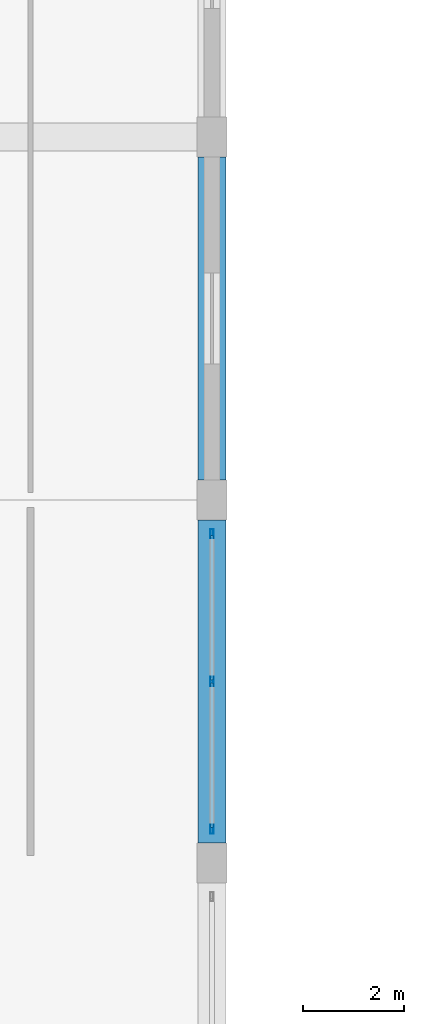
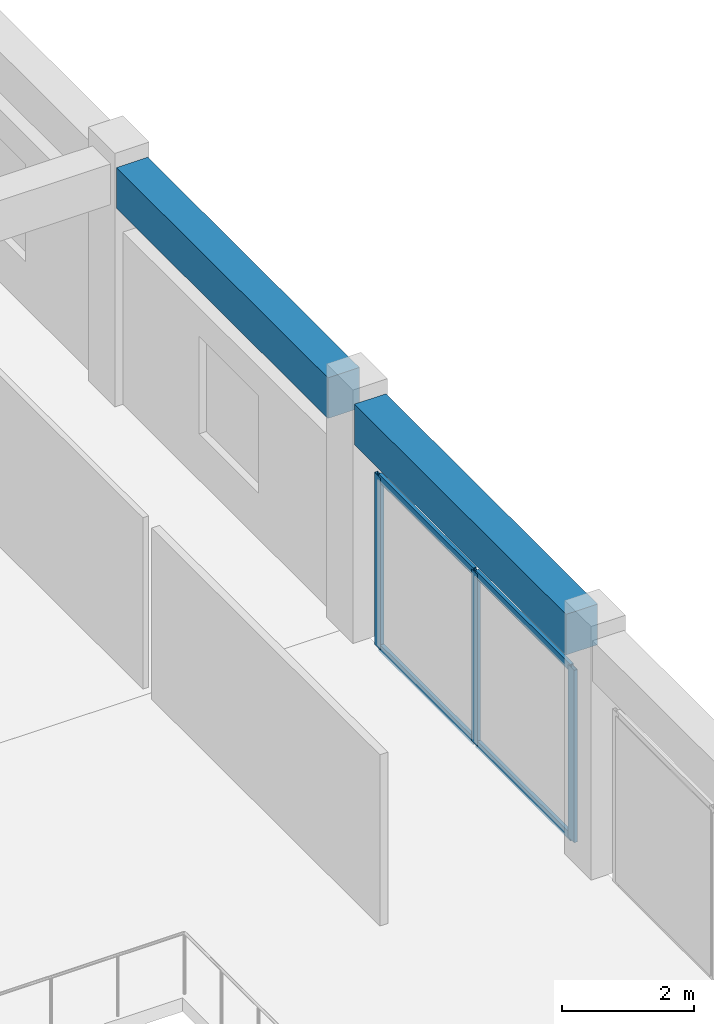
# One storey, part 24 of 55: 7 members, 2 beams, 1 element without a shape of its own.
"""IFC4 building model written with IfcOpenShell, lengths in metres."""

from ifc_helpers import new_model, si_unit, direction, frame, origin, origin_2d, place, context, subcontext, project, spatial, rectangle, hollow_rectangle, extrude, material, material_profile, profile_set, type_object, element, aggregate, save


model = new_model("IFC4")

# Units and contexts
model_context = context("Model", 3, precision=1e-05, world=origin(), true_north=direction((0.0, 1.0)))
body_context = subcontext(model_context, "Body", "Model", "MODEL_VIEW")
ifc_project = project(units=[si_unit("LENGTHUNIT", "METRE"), si_unit("AREAUNIT", "SQUARE_METRE"), si_unit("VOLUMEUNIT", "CUBIC_METRE"), si_unit("PLANEANGLEUNIT", "RADIAN"), si_unit("MASSUNIT", "GRAM", prefix="KILO")], contexts=[model_context])

# Site, building, storey
site_placement = place(None, origin())
site = spatial("IfcSite", under=ifc_project, at=site_placement, CompositionType="ELEMENT")
building_placement = place(site_placement, origin())
building = spatial("IfcBuilding", under=site, at=building_placement, Name="Kazehaya Institute of Natural Sciences", CompositionType="ELEMENT")
storey_placement = place(building_placement, frame((0.0, 0.0, 15.1201171875)))
storey = spatial("IfcBuildingStorey", under=building, at=storey_placement, Name="L03", CompositionType="ELEMENT", Elevation=15.1201171875)

# Beams
ifc_material_1 = material(Name="Concrete Fc36", Category="concrete")
ifc_material_profile_1 = material_profile(ifc_material_1, rectangle(XDim=0.550048828125, YDim=0.75, at=origin_2d()), Name="RC-550x750")
ifc_profile_set_1 = profile_set([ifc_material_profile_1], Name="Concrete Fc36")
beam_type = type_object("IfcBeamType", Name="BM-G-550x750", PredefinedType="BEAM", material=ifc_profile_set_1)
for number, where, z_axis, x_axis, name in (
    (1, (112.199951171875, 57.60009765625, 4.034912109375), (0.0, 1.0, 0.0), (-1.0, 0.0, 0.0), "L03 primary Y girder BMY-L03-1122-572"),
    (2, (112.199951171875, 64.800048828125, 4.034912109375), (0.0, 1.0, 0.0), (-1.0, 0.0, 0.0), "L03 primary Y girder BMY-L03-1122-644"),
):
    element("IfcBeam", number, at=place(storey_placement, frame(where, z_axis=z_axis, x_axis=x_axis)), inside=storey, type_object=beam_type, Name=name, PredefinedType="BEAM", context=body_context, shape_type="SweptSolid", body=[
        extrude(rectangle(XDim=0.550048828125, YDim=0.75, at=origin_2d()), origin(), (0.0, 0.0, 1.0), 6.39990234375),
    ])

# Curtain wall, members
ifc_material_2 = material(Name="Aluminium alloy A6063S-T5", Category="aluminium")
curtain_wall_type = type_object("IfcCurtainWallType", Name="CW-SYS-04", PredefinedType="NOTDEFINED", material=ifc_material_2)
curtain_wall_placement = place(storey_placement, origin())
curtain_wall = element("IfcCurtainWall", 3, at=curtain_wall_placement, inside=storey, type_object=curtain_wall_type, Name="L03 unitised curtain wall CW-L03-038", PredefinedType="NOTDEFINED")
ifc_material_profile_2 = material_profile(ifc_material_2, hollow_rectangle(XDim=0.06005859375, YDim=0.179931640625, WallThickness=0.00390625, at=origin_2d()), Name="ALU-60x180x4")
ifc_profile_set_2 = profile_set([ifc_material_profile_2], Name="Aluminium alloy A6063S-T5")
member_type_1 = type_object("IfcMemberType", Name="CWM-180", PredefinedType="MULLION", material=ifc_profile_set_2)
member_1_placement = place(storey_placement, frame((112.199951171875, 63.72998046875, 0.0), z_axis=(0.0, 0.0, 1.0), x_axis=(1.0, 0.0, 0.0)))
member_1 = element("IfcMember", 4, at=member_1_placement, type_object=member_type_1, Name="CW04 mullion 1", PredefinedType="MULLION", context=body_context, shape_type="SweptSolid", body=[
    extrude(hollow_rectangle(XDim=0.06005859375, YDim=0.179931640625, WallThickness=0.00390625, at=origin_2d()), origin(), (0.0, 0.0, 1.0), 3.179931640625),
])
member_2_placement = place(storey_placement, frame((112.199951171875, 60.800048828125, 0.0), z_axis=(0.0, 0.0, 1.0), x_axis=(1.0, 0.0, 0.0)))
member_2 = element("IfcMember", 5, at=member_2_placement, type_object=member_type_1, Name="CW04 mullion 2", PredefinedType="MULLION", context=body_context, shape_type="SweptSolid", body=[
    extrude(hollow_rectangle(XDim=0.06005859375, YDim=0.179931640625, WallThickness=0.00390625, at=origin_2d()), origin(), (0.0, 0.0, 1.0), 3.179931640625),
])
member_3_placement = place(storey_placement, frame((112.199951171875, 57.8701171875, 0.0), z_axis=(0.0, 0.0, 1.0), x_axis=(1.0, 0.0, 0.0)))
member_3 = element("IfcMember", 6, at=member_3_placement, type_object=member_type_1, Name="CW04 mullion 3", PredefinedType="MULLION", context=body_context, shape_type="SweptSolid", body=[
    extrude(hollow_rectangle(XDim=0.06005859375, YDim=0.179931640625, WallThickness=0.00390625, at=origin_2d()), origin(), (0.0, 0.0, 1.0), 3.179931640625),
])
ifc_material_profile_3 = material_profile(ifc_material_2, hollow_rectangle(XDim=0.06005859375, YDim=0.139892578125, WallThickness=0.00341796875, at=origin_2d()), Name="ALU-60x140x3.5")
ifc_profile_set_3 = profile_set([ifc_material_profile_3], Name="Aluminium alloy A6063S-T5")
member_type_2 = type_object("IfcMemberType", Name="CWT-140", PredefinedType="USERDEFINED", material=ifc_profile_set_3)
member_4_placement = place(storey_placement, frame((112.199951171875, 63.699951171875, 0.02978515625), z_axis=(0.0, -1.0, 0.0), x_axis=(1.0, 0.0, 0.0)))
member_4 = element("IfcMember", 7, at=member_4_placement, type_object=member_type_2, Name="CW04 transom 1.1", ObjectType="TRANSOM", PredefinedType="USERDEFINED", context=body_context, shape_type="SweptSolid", body=[
    extrude(hollow_rectangle(XDim=0.06005859375, YDim=0.139892578125, WallThickness=0.00341796875, at=origin_2d()), origin(), (0.0, 0.0, 1.0), 2.869873046875),
])
member_5_placement = place(storey_placement, frame((112.199951171875, 63.699951171875, 3.14990234375), z_axis=(0.0, -1.0, 0.0), x_axis=(1.0, 0.0, 0.0)))
member_5 = element("IfcMember", 8, at=member_5_placement, type_object=member_type_2, Name="CW04 transom 1.2", ObjectType="TRANSOM", PredefinedType="USERDEFINED", context=body_context, shape_type="SweptSolid", body=[
    extrude(hollow_rectangle(XDim=0.06005859375, YDim=0.139892578125, WallThickness=0.00341796875, at=origin_2d()), origin(), (0.0, 0.0, 1.0), 2.869873046875),
])
member_6_placement = place(storey_placement, frame((112.199951171875, 60.77001953125, 0.02978515625), z_axis=(0.0, -1.0, 0.0), x_axis=(1.0, 0.0, 0.0)))
member_6 = element("IfcMember", 9, at=member_6_placement, type_object=member_type_2, Name="CW04 transom 2.1", ObjectType="TRANSOM", PredefinedType="USERDEFINED", context=body_context, shape_type="SweptSolid", body=[
    extrude(hollow_rectangle(XDim=0.06005859375, YDim=0.139892578125, WallThickness=0.00341796875, at=origin_2d()), origin(), (0.0, 0.0, 1.0), 2.8701171875),
])
member_7_placement = place(storey_placement, frame((112.199951171875, 60.77001953125, 3.14990234375), z_axis=(0.0, -1.0, 0.0), x_axis=(1.0, 0.0, 0.0)))
member_7 = element("IfcMember", 10, at=member_7_placement, type_object=member_type_2, Name="CW04 transom 2.2", ObjectType="TRANSOM", PredefinedType="USERDEFINED", context=body_context, shape_type="SweptSolid", body=[
    extrude(hollow_rectangle(XDim=0.06005859375, YDim=0.139892578125, WallThickness=0.00341796875, at=origin_2d()), origin(), (0.0, 0.0, 1.0), 2.8701171875),
])
aggregate(curtain_wall, [member_1, member_2, member_3, member_4, member_5, member_6, member_7])

save(model, "model.ifc")
